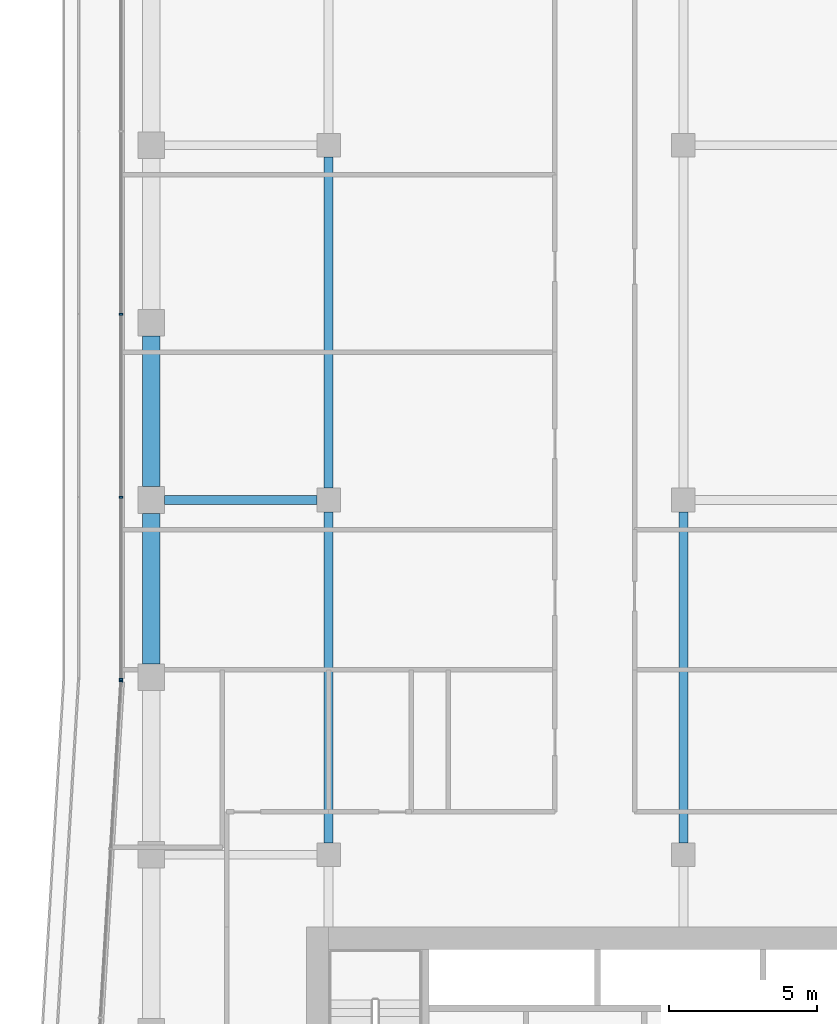
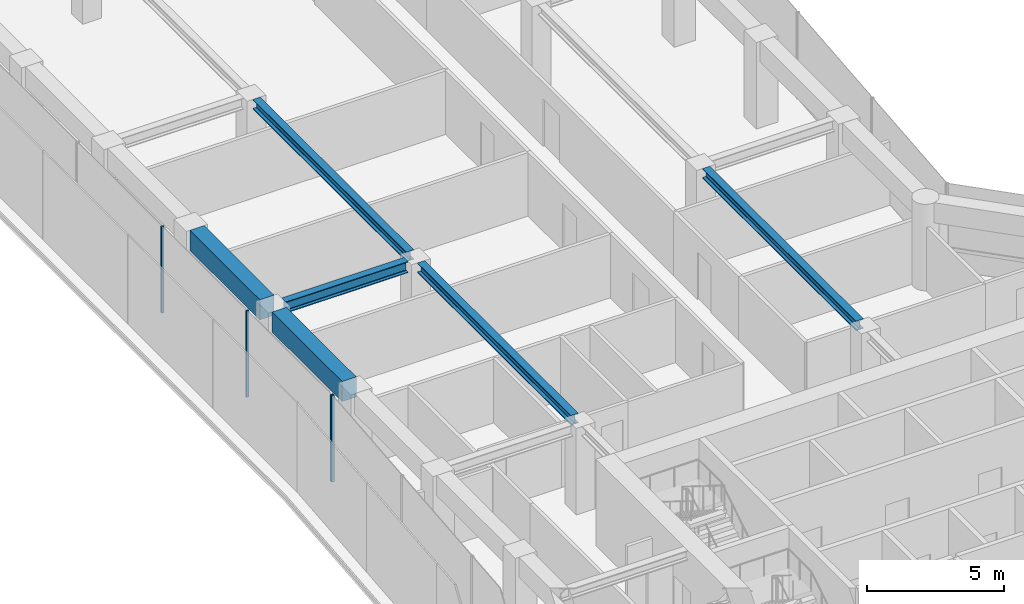
# One storey, part 10 of 24: 6 beams, 4 members, 2 elements without a shape of their own.
"""IFC4 building model written with IfcOpenShell, lengths in metres."""

from ifc_helpers import new_model, si_unit, direction, frame, origin, origin_2d, place, context, subcontext, project, spatial, rectangle, i_section, extrude, material, layer, layer_set, material_profile, profile_set, type_object, element, aggregate, save


model = new_model("IFC4")

# Units and contexts
model_context = context("Model", 3, precision=1e-05, world=origin(), true_north=direction((0.0, 1.0)))
body_context = subcontext(model_context, "Body", "Model", "MODEL_VIEW")
ifc_project = project(units=[si_unit("LENGTHUNIT", "METRE"), si_unit("AREAUNIT", "SQUARE_METRE"), si_unit("VOLUMEUNIT", "CUBIC_METRE"), si_unit("PLANEANGLEUNIT", "RADIAN"), si_unit("MASSUNIT", "GRAM", prefix="KILO")], contexts=[model_context])

# Site, building, storey
site_placement = place(None, origin())
site = spatial("IfcSite", under=ifc_project, at=site_placement, CompositionType="ELEMENT")
building_placement = place(site_placement, origin())
building = spatial("IfcBuilding", under=site, at=building_placement, Name="Welwitschia Terrace Campus", CompositionType="ELEMENT")
storey_placement = place(building_placement, frame((0.0, 0.0, 125.60009765625)))
storey = spatial("IfcBuildingStorey", under=building, at=storey_placement, Name="L28", CompositionType="ELEMENT", Elevation=125.60009765625)

# Beams
ifc_material_1 = material(Name="Steel S355", Category="steel")
ifc_material_profile_1 = material_profile(ifc_material_1, i_section(OverallWidth=0.306884765625, OverallDepth=0.431884765625, WebThickness=0.02099609375, FlangeThickness=0.0400390625, FilletRadius=0.027099609375, at=origin_2d()))
ifc_profile_set_1 = profile_set([ifc_material_profile_1], Name="Steel S355")
beam_type_1 = type_object("IfcBeamType", Name="Interior girder HE 400 M", PredefinedType="BEAM", material=ifc_profile_set_1)
for number, where, z_axis, x_axis, name in (
    (1, (6.0, 28.400390625, 3.6337890625), (0.0, 1.0, 0.0), (-1.0, 0.0, 0.0), "Girder GB3"),
    (2, (6.0, 40.400390625, 3.6337890625), (0.0, 1.0, 0.0), (-1.0, 0.0, 0.0), "Girder GB3"),
    (3, (18.0, 28.400390625, 3.6337890625), (0.0, 1.0, 0.0), (-1.0, 0.0, 0.0), "Girder GB3"),
):
    element("IfcBeam", number, at=place(storey_placement, frame(where, z_axis=z_axis, x_axis=x_axis)), inside=storey, type_object=beam_type_1, Name=name, PredefinedType="BEAM", context=body_context, shape_type="SweptSolid", body=[
        extrude(i_section(OverallWidth=0.306884765625, OverallDepth=0.431884765625, WebThickness=0.02099609375, FlangeThickness=0.0400390625, FilletRadius=0.027099609375, at=origin_2d()), origin(), (0.0, 0.0, 1.0), 11.19921875),
    ])

# Curtain wall, member
ifc_material_2 = material(Name="Bronze anodised aluminium", Category="aluminium")
ifc_layer = layer(ifc_material_2, 0.1201171875)
ifc_layer_set = layer_set([ifc_layer], Name="Bronze anodised aluminium")
curtain_wall_type = type_object("IfcCurtainWallType", Name="Curtain wall CW2 tower 6000", PredefinedType="NOTDEFINED", material=ifc_layer_set)
curtain_wall_1_placement = place(storey_placement, origin())
curtain_wall_1 = element("IfcCurtainWall", 4, at=curtain_wall_1_placement, inside=storey, type_object=curtain_wall_type, Name="CW L28.0.0", PredefinedType="NOTDEFINED")
ifc_material_3 = material(Name="Bronze anodised aluminium", Category="aluminium")
ifc_material_profile_2 = material_profile(ifc_material_3, rectangle(XDim=0.1201171875, YDim=0.06005859375, at=origin_2d()))
ifc_profile_set_2 = profile_set([ifc_material_profile_2], Name="Bronze anodised aluminium")
member_type = type_object("IfcMemberType", Name="Mullion 60x120", PredefinedType="MULLION", material=ifc_profile_set_2)
member_1_placement = place(storey_placement, frame((-1.03173828125, 33.87451171875, 0.0), z_axis=(0.0, 0.0, 1.0), x_axis=(0.998134798422, -0.061048539535, 0.0)))
member_1 = element("IfcMember", 5, at=member_1_placement, type_object=member_type, Name="Mullion L28.0.0.0", PredefinedType="MULLION", context=body_context, shape_type="SweptSolid", body=[
    extrude(rectangle(XDim=0.1201171875, YDim=0.06005859375, at=origin_2d()), origin(), (0.0, 0.0, 1.0), 3.849853515625),
])
aggregate(curtain_wall_1, [member_1])

# Curtain wall, members
curtain_wall_2_placement = place(storey_placement, origin())
curtain_wall_2 = element("IfcCurtainWall", 6, at=curtain_wall_2_placement, inside=storey, type_object=curtain_wall_type, Name="CW L28.12.0", PredefinedType="NOTDEFINED")
member_2_placement = place(storey_placement, frame((-1.030029296875, 46.285888671875, 0.0), z_axis=(0.0, 0.0, 1.0), x_axis=(1.0, 0.0, 0.0)))
member_2 = element("IfcMember", 7, at=member_2_placement, type_object=member_type, Name="Mullion L28.12.0.4", PredefinedType="MULLION", context=body_context, shape_type="SweptSolid", body=[
    extrude(rectangle(XDim=0.1201171875, YDim=0.06005859375, at=origin_2d()), origin(), (0.0, 0.0, 1.0), 3.849853515625),
])
member_3_placement = place(storey_placement, frame((-1.030029296875, 40.09521484375, 0.0), z_axis=(0.0, 0.0, 1.0), x_axis=(1.0, 0.0, 0.0)))
member_3 = element("IfcMember", 8, at=member_3_placement, type_object=member_type, Name="Mullion L28.12.0.5", PredefinedType="MULLION", context=body_context, shape_type="SweptSolid", body=[
    extrude(rectangle(XDim=0.1201171875, YDim=0.06005859375, at=origin_2d()), origin(), (0.0, 0.0, 1.0), 3.849853515625),
])
member_4_placement = place(storey_placement, frame((-1.030029296875, 33.9345703125, 0.0), z_axis=(0.0, 0.0, 1.0), x_axis=(1.0, 0.0, 0.0)))
member_4 = element("IfcMember", 9, at=member_4_placement, type_object=member_type, Name="Mullion L28.12.0.6", PredefinedType="MULLION", context=body_context, shape_type="SweptSolid", body=[
    extrude(rectangle(XDim=0.1201171875, YDim=0.06005859375, at=origin_2d()), origin(), (0.0, 0.0, 1.0), 3.849853515625),
])
aggregate(curtain_wall_2, [member_2, member_3, member_4])

# Beams
ifc_material_4 = material(Name="Steel S355", Category="steel")
ifc_material_profile_3 = material_profile(ifc_material_4, i_section(OverallWidth=0.300048828125, OverallDepth=0.5, WebThickness=0.014404296875, FlangeThickness=0.028076171875, FilletRadius=0.027099609375, at=origin_2d()))
ifc_profile_set_3 = profile_set([ifc_material_profile_3], Name="Steel S355")
beam_type_2 = type_object("IfcBeamType", Name="Primary beam HE 500 B", PredefinedType="BEAM", material=ifc_profile_set_3)
beam_placement = place(storey_placement, frame((0.450439453125, 40.0, 3.599853515625), z_axis=(1.0, 0.0, 0.0), x_axis=(0.0, 1.0, 0.0)))
element("IfcBeam", 10, at=beam_placement, inside=storey, type_object=beam_type_2, Name="Primary beam PB3", PredefinedType="BEAM", context=body_context, shape_type="SweptSolid", body=[
    extrude(i_section(OverallWidth=0.300048828125, OverallDepth=0.5, WebThickness=0.014404296875, FlangeThickness=0.028076171875, FilletRadius=0.027099609375, at=origin_2d()), origin(), (0.0, 0.0, 1.0), 5.149169921875),
])
ifc_material_5 = material(Name="Concrete C60/75", Category="concrete")
ifc_material_profile_4 = material_profile(ifc_material_5, rectangle(XDim=0.60009765625, YDim=0.89990234375, at=origin_2d()))
ifc_profile_set_4 = profile_set([ifc_material_profile_4], Name="Concrete C60/75")
beam_type_3 = type_object("IfcBeamType", Name="Ring spandrel 600x900", PredefinedType="SPANDREL", material=ifc_profile_set_4)
for number, where, z_axis, x_axis, name in (
    (11, (0.0, 45.549560546875, 3.39990234375), (0.0, -1.0, 0.0), (1.0, 0.0, 0.0), "Spandrel SP2"),
    (12, (0.0, 39.549560546875, 3.39990234375), (0.0, -1.0, 0.0), (1.0, 0.0, 0.0), "Spandrel SP2"),
):
    element("IfcBeam", number, at=place(storey_placement, frame(where, z_axis=z_axis, x_axis=x_axis)), inside=storey, type_object=beam_type_3, Name=name, PredefinedType="SPANDREL", context=body_context, shape_type="SweptSolid", body=[
        extrude(rectangle(XDim=0.60009765625, YDim=0.89990234375, at=origin_2d()), origin(), (0.0, 0.0, 1.0), 5.09912109375),
    ])

save(model, "model.ifc")
